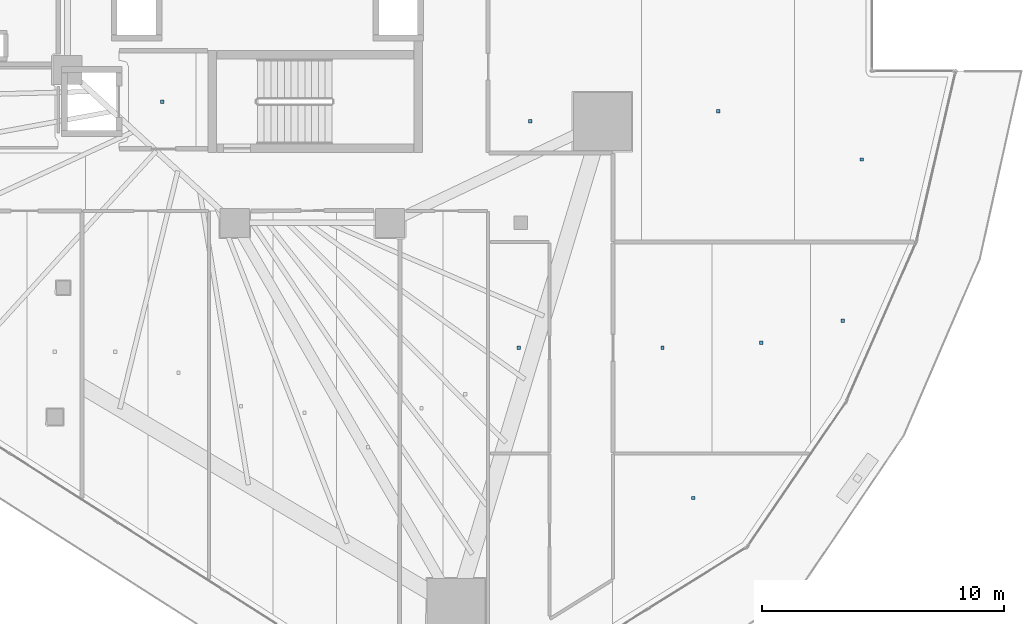
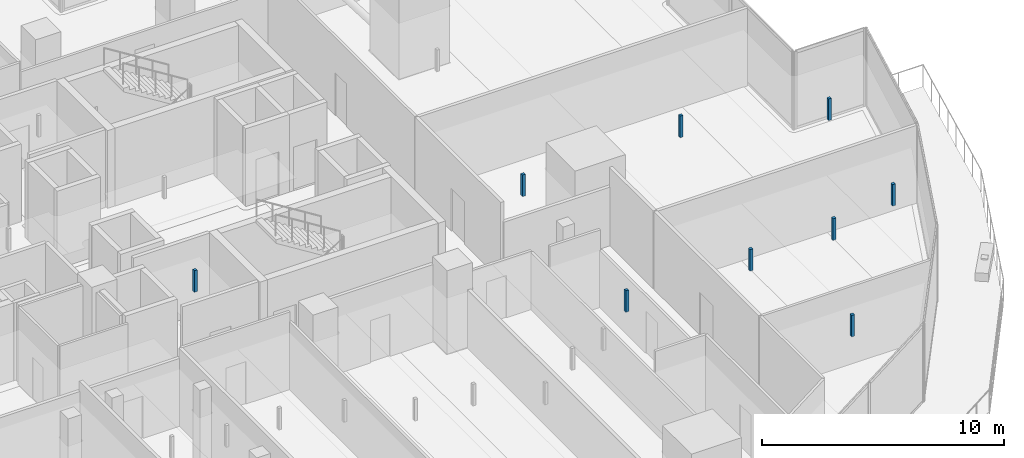
# One storey, part 32 of 44: 9 discrete accessories.
"""IFC4 building model written with IfcOpenShell, lengths in metres."""

import ifcopenshell
import ifcopenshell.guid

model = None  # the IFC model being written
_history = None  # IfcOwnerHistory: only IFC2X3 demands one
_inside = {}  # id of a spatial element -> (the spatial element, [elements in it])
_under = {}  # id of a project, library or spatial element -> (it, [spatial elements below it])
_declared = {}  # id of a project -> (the project, [libraries it declares])
_typed = {}  # id of a type object -> (the type object, [elements of that type])
_made_of = {}  # id of a material, layer set ... -> (it, [elements and type objects made of it])


def new_model(schema):
    """Start an empty IFC model of exactly this schema.

    Asked for "IFC4X3", IfcOpenShell would pick the latest addendum, in which some entities
    have other attributes; the version numbers below select the first issue.
    IFC2X3 requires an IfcOwnerHistory on every rooted entity: one is made here for all.
    """
    global model, _history
    if schema == "IFC4X3":
        model = ifcopenshell.file(schema_version=(4, 3, 0, 0))
    else:
        model = ifcopenshell.file(schema=schema)
    _inside.clear()
    _under.clear()
    _declared.clear()
    _typed.clear()
    _made_of.clear()
    _history = None
    if model.schema == "IFC2X3":
        org = make("IfcOrganization", Name="unknown")
        user = make(
            "IfcPersonAndOrganization",
            ThePerson=make("IfcPerson", FamilyName="unknown"),
            TheOrganization=org,
        )
        app = make(
            "IfcApplication",
            ApplicationDeveloper=org,
            Version="unknown",
            ApplicationFullName="unknown",
            ApplicationIdentifier="unknown",
        )
        _history = make(
            "IfcOwnerHistory",
            OwningUser=user,
            OwningApplication=app,
            ChangeAction="ADDED",
            CreationDate=0,
        )
    return model


def make(cls, **values):
    """One entity of the class cls with the attributes given. An attribute that is None is left unset."""
    return model.create_entity(
        cls, **{name: value for name, value in values.items() if value is not None}
    )


def rooted(cls, **values):
    """An entity with a GlobalId (a new one), such as an element, a storey or a relation."""
    return make(cls, GlobalId=ifcopenshell.guid.new(), OwnerHistory=_history, **values)


def si_unit(unit_type, name, prefix=None):
    """IfcSIUnit, for example si_unit("LENGTHUNIT", "METRE", prefix="MILLI")."""
    return make("IfcSIUnit", UnitType=unit_type, Prefix=prefix, Name=name)


def assignment(units):
    """IfcUnitAssignment: the units of a project."""
    return None if units is None else make("IfcUnitAssignment", Units=units)


def point(xyz):
    """IfcCartesianPoint."""
    return None if xyz is None else make("IfcCartesianPoint", Coordinates=xyz)


def direction(xyz):
    """IfcDirection."""
    return None if xyz is None else make("IfcDirection", DirectionRatios=xyz)


def frame(location, z_axis=None, x_axis=None):
    """IfcAxis2Placement3D, a coordinate frame: its origin and axes. An axis left out is left unset."""
    return make(
        "IfcAxis2Placement3D",
        Location=point(location),
        Axis=direction(z_axis),
        RefDirection=direction(x_axis),
    )


def frame_2d(location, x_axis=None):
    """IfcAxis2Placement2D, a coordinate frame in the plane: its origin and x axis."""
    return make(
        "IfcAxis2Placement2D", Location=point(location), RefDirection=direction(x_axis)
    )


def origin():
    """The frame at (0, 0, 0) with its axes left unset."""
    return frame((0.0, 0.0, 0.0))


def origin_2d():
    """The frame at (0, 0) in the plane with its x axis left unset."""
    return frame_2d((0.0, 0.0))


def place(relative_to, where):
    """IfcLocalPlacement: puts the frame where relative to a parent placement (None: the world)."""
    return make(
        "IfcLocalPlacement", PlacementRelTo=relative_to, RelativePlacement=where
    )


def context(
    kind, dimensions, precision=None, world=None, true_north=None, identifier=None
):
    """IfcGeometricRepresentationContext, for example the 3D "Model" context."""
    return make(
        "IfcGeometricRepresentationContext",
        ContextIdentifier=identifier,
        ContextType=kind,
        CoordinateSpaceDimension=dimensions,
        Precision=precision,
        WorldCoordinateSystem=world,
        TrueNorth=true_north,
    )


def subcontext(parent, identifier, kind, view, scale=None):
    """IfcGeometricRepresentationSubContext, for example "Body" below "Model"."""
    return make(
        "IfcGeometricRepresentationSubContext",
        ContextIdentifier=identifier,
        ContextType=kind,
        ParentContext=parent,
        TargetScale=scale,
        TargetView=view,
    )


def project(units=None, contexts=None):
    """IfcProject with its units and contexts."""
    return rooted(
        "IfcProject",
        Name="project",
        RepresentationContexts=contexts,
        UnitsInContext=assignment(units),
    )


def spatial(cls, under=None, at=None, **own):
    """A site, building, storey or space (cls), placed at a placement, below another one or the project."""
    s = rooted(cls, ObjectPlacement=at, **own)
    if under is not None:
        _under.setdefault(under.id(), (under, []))[1].append(s)
    return s


def profile(cls, at=None, kind="AREA", **sizes):
    """A parametric profile (cls). Its sizes go by their IFC names, for example OverallWidth=200.0."""
    return make(cls, ProfileType=kind, Position=at, **sizes)


def rectangle(**sizes):
    """IfcRectangleProfileDef."""
    return profile("IfcRectangleProfileDef", **sizes)


def extrude(swept, where, along, depth):
    """IfcExtrudedAreaSolid: the profile swept, set in the frame where, extruded along a direction by depth."""
    return make(
        "IfcExtrudedAreaSolid",
        SweptArea=swept,
        Position=where,
        ExtrudedDirection=direction(along),
        Depth=depth,
    )


def shape(context_of_items, identifier, shape_type, items):
    """IfcShapeRepresentation: the items that make up one representation, for example the "Body"."""
    return make(
        "IfcShapeRepresentation",
        ContextOfItems=context_of_items,
        RepresentationIdentifier=identifier,
        RepresentationType=shape_type,
        Items=items,
    )


def material(Name=None, Category=None):
    """IfcMaterial."""
    return make("IfcMaterial", Name=Name, Category=Category)


def made_of(thing, what):
    """Note that an element or type object is made of a material, layer set ...; save() writes the relation."""
    if what is not None:
        _made_of.setdefault(what.id(), (what, []))[1].append(thing)
    return thing


def type_object(cls, material=None, **own):
    """A type object (cls), such as IfcWallType, which elements share."""
    return made_of(rooted(cls, **own), material)


def element(
    cls,
    number,
    at=None,
    inside=None,
    cuts=None,
    type_object=None,
    material=None,
    context=None,
    identifier="Body",
    shape_type=None,
    held_by="IfcProductDefinitionShape",
    body=None,
    shapes=None,
    **own,
):
    """One element of the class cls, such as IfcWall. Its Tag is "e" and its number.

    at: its placement. inside: the storey or other place that contains it. cuts: it is an
    opening in that element (IfcRelVoidsElement). A single representation is given by context,
    identifier, shape_type and body (its items); several are given by shapes. held_by: the class
    of the entity that holds the representations. save() writes the other relations.
    """
    e = rooted(cls, Tag="e%d" % number, ObjectPlacement=at, **own)
    if body is not None:
        shapes = [shape(context, identifier, shape_type, body)]
    if shapes is not None:
        e.Representation = make(held_by, Representations=shapes)
    if inside is not None:
        _inside.setdefault(inside.id(), (inside, []))[1].append(e)
    if cuts is not None:
        rooted(
            "IfcRelVoidsElement", RelatingBuildingElement=cuts, RelatedOpeningElement=e
        )
    if type_object is not None:
        _typed.setdefault(type_object.id(), (type_object, []))[1].append(e)
    return made_of(e, material)


def aggregate(whole, parts):
    """IfcRelAggregates: a whole, such as a stair, and the parts it consists of."""
    return rooted("IfcRelAggregates", RelatingObject=whole, RelatedObjects=parts)


def save(model, path):
    """Write the relations noted so far, then the file.

    IfcRelAggregates (storeys below a building ...), IfcRelContainedInSpatialStructure (elements
    in a storey), IfcRelDefinesByType, IfcRelAssociatesMaterial and IfcRelDeclares: one each for
    every whole, place, type object, material and project.
    """
    for whole, parts in _under.values():
        aggregate(whole, parts)
    for where, things in _inside.values():
        rooted(
            "IfcRelContainedInSpatialStructure",
            RelatedElements=things,
            RelatingStructure=where,
        )
    for kind, things in _typed.values():
        rooted("IfcRelDefinesByType", RelatedObjects=things, RelatingType=kind)
    for what, things in _made_of.values():
        rooted("IfcRelAssociatesMaterial", RelatedObjects=things, RelatingMaterial=what)
    for by, libraries in _declared.values():
        rooted("IfcRelDeclares", RelatingContext=by, RelatedDefinitions=libraries)
    model.write(path)


model = new_model("IFC4")

# Units and contexts
model_context = context("Model", 3, precision=1e-05, world=origin(), true_north=direction((0.0, 1.0)))
body_context = subcontext(model_context, "Body", "Model", "MODEL_VIEW")
ifc_project = project(units=[si_unit("LENGTHUNIT", "METRE"), si_unit("AREAUNIT", "SQUARE_METRE"), si_unit("VOLUMEUNIT", "CUBIC_METRE"), si_unit("PLANEANGLEUNIT", "RADIAN"), si_unit("MASSUNIT", "GRAM", prefix="KILO")], contexts=[model_context])

# Site, building, storey
site_placement = place(None, origin())
site = spatial("IfcSite", under=ifc_project, at=site_placement, CompositionType="ELEMENT")
building_placement = place(site_placement, origin())
building = spatial("IfcBuilding", under=site, at=building_placement, Name="Qorvath Tower", CompositionType="ELEMENT")
storey_placement = place(building_placement, frame((0.0, 0.0, 78.60009765625)))
storey = spatial("IfcBuildingStorey", under=building, at=storey_placement, Name="L17", CompositionType="ELEMENT", Elevation=78.60009765625)

# Discrete accessories
ifc_material = material(Name="Galvanised steel bracket", Category="steel")
discrete_accessory_type = type_object("IfcDiscreteAccessoryType", Name="DA-BRACKET", PredefinedType="BRACKET", material=ifc_material)
for number, where, z_axis, x_axis, name in (
    (1, (-26.590087890625, -6.449951171875, 2.85986328125), (0.0, 0.0, 1.0), (1.0, 0.0, 0.0), "Acoustic Ceiling Suspension Hanger T1-L17-002"),
    (2, (-4.685302734375, -22.804931640625, 2.85986328125), (0.0, 0.0, 1.0), (1.0, 0.0, 0.0), "Acoustic Ceiling Suspension Hanger T1-L17-026"),
    (3, (-5.94970703125, -16.603515625, 2.85986328125), (0.0, 0.0, 1.0), (1.0, 0.0, 0.0), "Acoustic Ceiling Suspension Hanger T1-L17-027"),
    (4, (-1.875, -16.397705078125, 2.85986328125), (0.0, 0.0, 1.0), (1.0, 0.0, 0.0), "Acoustic Ceiling Suspension Hanger T1-L17-028"),
    (5, (1.490234375, -15.49267578125, 2.85986328125), (0.0, 0.0, 1.0), (1.0, 0.0, 0.0), "Acoustic Ceiling Suspension Hanger T1-L17-029"),
    (6, (-11.875, -16.603515625, 2.85986328125), (0.0, 0.0, 1.0), (1.0, 0.0, 0.0), "Acoustic Ceiling Suspension Hanger T1-L17-030"),
    (7, (-11.4091796875, -7.255126953125, 2.85986328125), (0.0, 0.0, 1.0), (1.0, 0.0, 0.0), "Acoustic Ceiling Suspension Hanger T1-L17-031"),
    (8, (-3.65283203125, -6.84130859375, 2.85986328125), (0.0, 0.0, 1.0), (1.0, 0.0, 0.0), "Acoustic Ceiling Suspension Hanger T1-L17-032"),
    (9, (2.273193359375, -8.837646484375, 2.85986328125), (0.0, 0.0, 1.0), (1.0, 0.0, 0.0), "Acoustic Ceiling Suspension Hanger T1-L17-033"),
):
    element("IfcDiscreteAccessory", number, at=place(storey_placement, frame(where, z_axis=z_axis, x_axis=x_axis)), inside=storey, type_object=discrete_accessory_type, Name=name, PredefinedType="NOTDEFINED", context=body_context, shape_type="SweptSolid", body=[
        extrude(rectangle(XDim=0.139892578125, YDim=0.139892578125, at=origin_2d()), origin(), (0.0, 0.0, 1.0), 1.090087890625),
    ])

save(model, "model.ifc")
